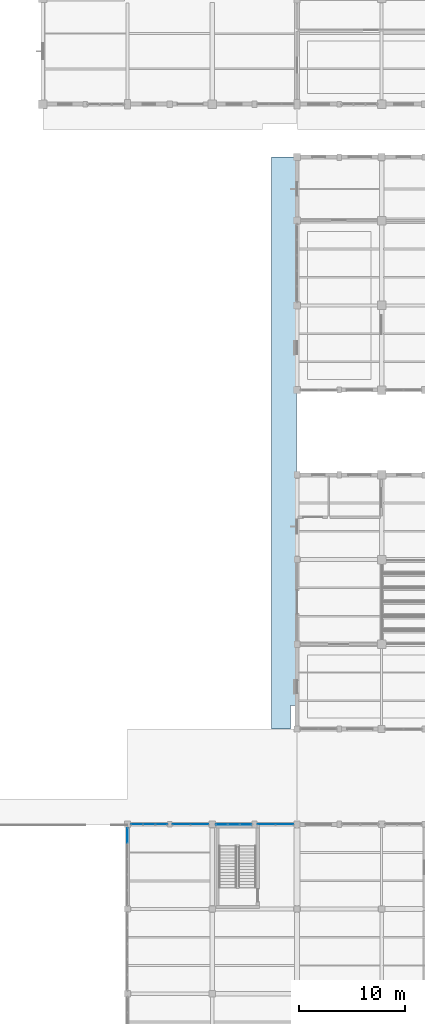
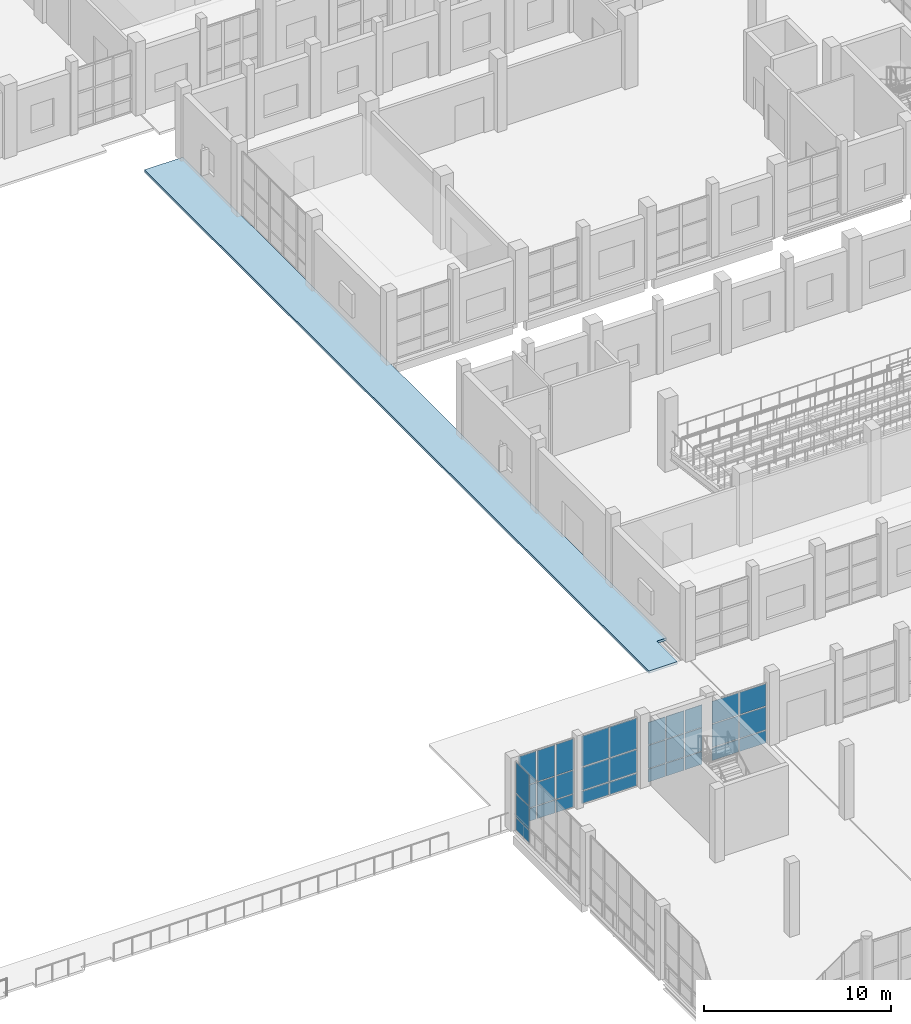
# One storey, part 111 of 156: 33 plates, 1 slab, 5 elements without a shape of their own.
"""IFC4 building model written with IfcOpenShell, lengths in metres."""

from ifc_helpers import new_model, si_unit, direction, frame, origin, origin_2d, place, context, subcontext, project, spatial, polyline, rectangle, outline, extrude, material, layer, layer_set, type_object, element, aggregate, save


model = new_model("IFC4")

# Units and contexts
model_context = context("Model", 3, precision=1e-05, world=origin(), true_north=direction((0.0, 1.0)))
body_context = subcontext(model_context, "Body", "Model", "MODEL_VIEW")
ifc_project = project(units=[si_unit("LENGTHUNIT", "METRE"), si_unit("AREAUNIT", "SQUARE_METRE"), si_unit("VOLUMEUNIT", "CUBIC_METRE"), si_unit("PLANEANGLEUNIT", "RADIAN"), si_unit("MASSUNIT", "GRAM", prefix="KILO")], contexts=[model_context])

# Site, building, storey
site_placement = place(None, origin())
site = spatial("IfcSite", under=ifc_project, at=site_placement, CompositionType="ELEMENT")
building_placement = place(site_placement, origin())
building = spatial("IfcBuilding", under=site, at=building_placement, Name="Luwemba Playhouse", CompositionType="ELEMENT")
storey_placement = place(building_placement, origin())
storey = spatial("IfcBuildingStorey", under=building, at=storey_placement, Name="L00", CompositionType="ELEMENT", Elevation=0.0)

# Curtain wall, plates
ifc_material_1 = material(Name="Solar-control double glazing", Category="glass")
curtain_wall_type_1 = type_object("IfcCurtainWallType", Name="CW-CW46", PredefinedType="USERDEFINED", material=ifc_material_1)
curtain_wall_1_placement = place(storey_placement, origin())
curtain_wall_1 = element("IfcCurtainWall", 1, at=curtain_wall_1_placement, inside=storey, type_object=curtain_wall_type_1, Name="L00 V5E unitised curtain wall 055", ObjectType="UNITISED GLAZING", PredefinedType="USERDEFINED")
ifc_layer_1 = layer(ifc_material_1, 0.02392578125)
ifc_layer_set_1 = layer_set([ifc_layer_1], Name="Solar-control double glazing")
plate_type_1 = type_object("IfcPlateType", Name="CWP-P1", PredefinedType="CURTAIN_PANEL", material=ifc_layer_set_1)
plate_1_placement = place(storey_placement, frame((116.0, 25.945068359375, 0.06005859375), z_axis=(0.0, 0.0, 1.0), x_axis=(0.0, 1.0, 0.0)))
plate_1 = element("IfcPlate", 2, at=plate_1_placement, type_object=plate_type_1, Name="CW46 panel 5.1", PredefinedType="CURTAIN_PANEL", context=body_context, shape_type="SweptSolid", body=[
    extrude(rectangle(XDim=1.389892578125, YDim=0.02392578125, at=origin_2d()), origin(), (0.0, 0.0, 1.0), 0.81005859375),
])
plate_2_placement = place(storey_placement, frame((116.0, 25.945068359375, 0.93017578125), z_axis=(0.0, 0.0, 1.0), x_axis=(0.0, 1.0, 0.0)))
plate_2 = element("IfcPlate", 3, at=plate_2_placement, type_object=plate_type_1, Name="CW46 panel 5.2", PredefinedType="CURTAIN_PANEL", context=body_context, shape_type="SweptSolid", body=[
    extrude(rectangle(XDim=1.389892578125, YDim=0.02392578125, at=origin_2d()), origin(), (0.0, 0.0, 1.0), 1.489990234375),
])
plate_3_placement = place(storey_placement, frame((116.0, 25.945068359375, 2.47998046875), z_axis=(0.0, 0.0, 1.0), x_axis=(0.0, 1.0, 0.0)))
plate_3 = element("IfcPlate", 4, at=plate_3_placement, type_object=plate_type_1, Name="CW46 panel 5.3", PredefinedType="CURTAIN_PANEL", context=body_context, shape_type="SweptSolid", body=[
    extrude(rectangle(XDim=1.389892578125, YDim=0.02392578125, at=origin_2d()), origin(), (0.0, 0.0, 1.0), 2.010009765625),
])
aggregate(curtain_wall_1, [plate_1, plate_2, plate_3])

curtain_wall_type_2 = type_object("IfcCurtainWallType", Name="CW-CW50", PredefinedType="USERDEFINED", material=ifc_material_1)
curtain_wall_2_placement = place(storey_placement, origin())
curtain_wall_2 = element("IfcCurtainWall", 5, at=curtain_wall_2_placement, inside=storey, type_object=curtain_wall_type_2, Name="L00 V5E unitised curtain wall 059", ObjectType="UNITISED GLAZING", PredefinedType="USERDEFINED")
plate_4_placement = place(storey_placement, frame((129.12744140625, 27.0, 0.06005859375), z_axis=(0.0, 0.0, 1.0), x_axis=(1.0, 0.0, 0.0)))
plate_4 = element("IfcPlate", 6, at=plate_4_placement, type_object=plate_type_1, Name="CW50 panel 1.1", PredefinedType="CURTAIN_PANEL", context=body_context, shape_type="SweptSolid", body=[
    extrude(rectangle(XDim=1.635009765625, YDim=0.02392578125, at=origin_2d()), origin(), (0.0, 0.0, 1.0), 0.81005859375),
])
plate_5_placement = place(storey_placement, frame((129.12744140625, 27.0, 0.93017578125), z_axis=(0.0, 0.0, 1.0), x_axis=(1.0, 0.0, 0.0)))
plate_5 = element("IfcPlate", 7, at=plate_5_placement, type_object=plate_type_1, Name="CW50 panel 1.2", PredefinedType="CURTAIN_PANEL", context=body_context, shape_type="SweptSolid", body=[
    extrude(rectangle(XDim=1.635009765625, YDim=0.02392578125, at=origin_2d()), origin(), (0.0, 0.0, 1.0), 1.489990234375),
])
plate_6_placement = place(storey_placement, frame((129.12744140625, 27.0, 2.47998046875), z_axis=(0.0, 0.0, 1.0), x_axis=(1.0, 0.0, 0.0)))
plate_6 = element("IfcPlate", 8, at=plate_6_placement, type_object=plate_type_1, Name="CW50 panel 1.3", PredefinedType="CURTAIN_PANEL", context=body_context, shape_type="SweptSolid", body=[
    extrude(rectangle(XDim=1.635009765625, YDim=0.02392578125, at=origin_2d()), origin(), (0.0, 0.0, 1.0), 1.445068359375),
])
plate_7_placement = place(storey_placement, frame((130.822509765625, 27.0, 0.06005859375), z_axis=(0.0, 0.0, 1.0), x_axis=(1.0, 0.0, 0.0)))
plate_7 = element("IfcPlate", 9, at=plate_7_placement, type_object=plate_type_1, Name="CW50 panel 2.1", PredefinedType="CURTAIN_PANEL", context=body_context, shape_type="SweptSolid", body=[
    extrude(rectangle(XDim=1.635009765625, YDim=0.02392578125, at=origin_2d()), origin(), (0.0, 0.0, 1.0), 0.81005859375),
])
plate_8_placement = place(storey_placement, frame((130.822509765625, 27.0, 0.93017578125), z_axis=(0.0, 0.0, 1.0), x_axis=(1.0, 0.0, 0.0)))
plate_8 = element("IfcPlate", 10, at=plate_8_placement, type_object=plate_type_1, Name="CW50 panel 2.2", PredefinedType="CURTAIN_PANEL", context=body_context, shape_type="SweptSolid", body=[
    extrude(rectangle(XDim=1.635009765625, YDim=0.02392578125, at=origin_2d()), origin(), (0.0, 0.0, 1.0), 1.489990234375),
])
plate_9_placement = place(storey_placement, frame((130.822509765625, 27.0, 2.47998046875), z_axis=(0.0, 0.0, 1.0), x_axis=(1.0, 0.0, 0.0)))
plate_9 = element("IfcPlate", 11, at=plate_9_placement, type_object=plate_type_1, Name="CW50 panel 2.3", PredefinedType="CURTAIN_PANEL", context=body_context, shape_type="SweptSolid", body=[
    extrude(rectangle(XDim=1.635009765625, YDim=0.02392578125, at=origin_2d()), origin(), (0.0, 0.0, 1.0), 1.445068359375),
])
aggregate(curtain_wall_2, [plate_4, plate_5, plate_6, plate_7, plate_8, plate_9])

curtain_wall_type_3 = type_object("IfcCurtainWallType", Name="CW-CW47", PredefinedType="USERDEFINED", material=ifc_material_1)
curtain_wall_3_placement = place(storey_placement, origin())
curtain_wall_3 = element("IfcCurtainWall", 12, at=curtain_wall_3_placement, inside=storey, type_object=curtain_wall_type_3, Name="L00 V5E unitised curtain wall 056", ObjectType="UNITISED GLAZING", PredefinedType="USERDEFINED")
ifc_layer_2 = layer(ifc_material_1, 0.028076171875)
ifc_layer_set_2 = layer_set([ifc_layer_2], Name="Solar-control double glazing")
plate_type_2 = type_object("IfcPlateType", Name="CWP-P2", PredefinedType="CURTAIN_PANEL", material=ifc_layer_set_2)
plate_10_placement = place(storey_placement, frame((116.899658203125, 27.0, 0.05517578125), z_axis=(0.0, 0.0, 1.0), x_axis=(1.0, 0.0, 0.0)))
plate_10 = element("IfcPlate", 13, at=plate_10_placement, type_object=plate_type_2, Name="CW47 panel 1.1", PredefinedType="CURTAIN_PANEL", context=body_context, shape_type="SweptSolid", body=[
    extrude(rectangle(XDim=1.069091796875, YDim=0.028076171875, at=origin_2d()), origin(), (0.0, 0.0, 1.0), 0.8173828125),
])
plate_11_placement = place(storey_placement, frame((116.899658203125, 27.0, 0.927490234375), z_axis=(0.0, 0.0, 1.0), x_axis=(1.0, 0.0, 0.0)))
plate_11 = element("IfcPlate", 14, at=plate_11_placement, type_object=plate_type_2, Name="CW47 panel 1.2", PredefinedType="CURTAIN_PANEL", context=body_context, shape_type="SweptSolid", body=[
    extrude(rectangle(XDim=1.069091796875, YDim=0.028076171875, at=origin_2d()), origin(), (0.0, 0.0, 1.0), 1.4951171875),
])
plate_12_placement = place(storey_placement, frame((116.899658203125, 27.0, 2.4775390625), z_axis=(0.0, 0.0, 1.0), x_axis=(1.0, 0.0, 0.0)))
plate_12 = element("IfcPlate", 15, at=plate_12_placement, type_object=plate_type_2, Name="CW47 panel 1.3", PredefinedType="CURTAIN_PANEL", context=body_context, shape_type="SweptSolid", body=[
    extrude(rectangle(XDim=1.069091796875, YDim=0.028076171875, at=origin_2d()), origin(), (0.0, 0.0, 1.0), 2.017578125),
])
plate_13_placement = place(storey_placement, frame((118.050048828125, 27.0, 0.05517578125), z_axis=(0.0, 0.0, 1.0), x_axis=(1.0, 0.0, 0.0)))
plate_13 = element("IfcPlate", 16, at=plate_13_placement, type_object=plate_type_2, Name="CW47 panel 2.1", PredefinedType="CURTAIN_PANEL", context=body_context, shape_type="SweptSolid", body=[
    extrude(rectangle(XDim=1.1015625, YDim=0.028076171875, at=origin_2d()), origin(), (0.0, 0.0, 1.0), 0.8173828125),
])
plate_14_placement = place(storey_placement, frame((118.050048828125, 27.0, 0.927490234375), z_axis=(0.0, 0.0, 1.0), x_axis=(1.0, 0.0, 0.0)))
plate_14 = element("IfcPlate", 17, at=plate_14_placement, type_object=plate_type_2, Name="CW47 panel 2.2", PredefinedType="CURTAIN_PANEL", context=body_context, shape_type="SweptSolid", body=[
    extrude(rectangle(XDim=1.1015625, YDim=0.028076171875, at=origin_2d()), origin(), (0.0, 0.0, 1.0), 1.4951171875),
])
plate_15_placement = place(storey_placement, frame((118.050048828125, 27.0, 2.4775390625), z_axis=(0.0, 0.0, 1.0), x_axis=(1.0, 0.0, 0.0)))
plate_15 = element("IfcPlate", 18, at=plate_15_placement, type_object=plate_type_2, Name="CW47 panel 2.3", PredefinedType="CURTAIN_PANEL", context=body_context, shape_type="SweptSolid", body=[
    extrude(rectangle(XDim=1.1015625, YDim=0.028076171875, at=origin_2d()), origin(), (0.0, 0.0, 1.0), 2.017578125),
])
plate_16_placement = place(storey_placement, frame((119.200439453125, 27.0, 0.05517578125), z_axis=(0.0, 0.0, 1.0), x_axis=(1.0, 0.0, 0.0)))
plate_16 = element("IfcPlate", 19, at=plate_16_placement, type_object=plate_type_2, Name="CW47 panel 3.1", PredefinedType="CURTAIN_PANEL", context=body_context, shape_type="SweptSolid", body=[
    extrude(rectangle(XDim=1.069091796875, YDim=0.028076171875, at=origin_2d()), origin(), (0.0, 0.0, 1.0), 0.8173828125),
])
plate_17_placement = place(storey_placement, frame((119.200439453125, 27.0, 0.927490234375), z_axis=(0.0, 0.0, 1.0), x_axis=(1.0, 0.0, 0.0)))
plate_17 = element("IfcPlate", 20, at=plate_17_placement, type_object=plate_type_2, Name="CW47 panel 3.2", PredefinedType="CURTAIN_PANEL", context=body_context, shape_type="SweptSolid", body=[
    extrude(rectangle(XDim=1.069091796875, YDim=0.028076171875, at=origin_2d()), origin(), (0.0, 0.0, 1.0), 1.4951171875),
])
plate_18_placement = place(storey_placement, frame((119.200439453125, 27.0, 2.4775390625), z_axis=(0.0, 0.0, 1.0), x_axis=(1.0, 0.0, 0.0)))
plate_18 = element("IfcPlate", 21, at=plate_18_placement, type_object=plate_type_2, Name="CW47 panel 3.3", PredefinedType="CURTAIN_PANEL", context=body_context, shape_type="SweptSolid", body=[
    extrude(rectangle(XDim=1.069091796875, YDim=0.028076171875, at=origin_2d()), origin(), (0.0, 0.0, 1.0), 2.017578125),
])
aggregate(curtain_wall_3, [plate_10, plate_11, plate_12, plate_13, plate_14, plate_15, plate_16, plate_17, plate_18])

curtain_wall_type_4 = type_object("IfcCurtainWallType", Name="CW-CW48", PredefinedType="USERDEFINED", material=ifc_material_1)
curtain_wall_4_placement = place(storey_placement, origin())
curtain_wall_4 = element("IfcCurtainWall", 22, at=curtain_wall_4_placement, inside=storey, type_object=curtain_wall_type_4, Name="L00 V5E unitised curtain wall 057", ObjectType="UNITISED GLAZING", PredefinedType="USERDEFINED")
ifc_layer_3 = layer(ifc_material_1, 0.031982421875)
ifc_layer_set_3 = layer_set([ifc_layer_3], Name="Solar-control double glazing")
plate_type_3 = type_object("IfcPlateType", Name="CWP-P3", PredefinedType="CURTAIN_PANEL", material=ifc_layer_set_3)
plate_19_placement = place(storey_placement, frame((121.0888671875, 27.0, 0.06494140625), z_axis=(0.0, 0.0, 1.0), x_axis=(1.0, 0.0, 0.0)))
plate_19 = element("IfcPlate", 23, at=plate_19_placement, type_object=plate_type_3, Name="CW48 panel 1.1", PredefinedType="CURTAIN_PANEL", context=body_context, shape_type="SweptSolid", body=[
    extrude(rectangle(XDim=1.66748046875, YDim=0.031982421875, at=origin_2d()), origin(), (0.0, 0.0, 1.0), 0.802490234375),
])
plate_20_placement = place(storey_placement, frame((121.0888671875, 27.0, 0.9326171875), z_axis=(0.0, 0.0, 1.0), x_axis=(1.0, 0.0, 0.0)))
plate_20 = element("IfcPlate", 24, at=plate_20_placement, type_object=plate_type_3, Name="CW48 panel 1.2", PredefinedType="CURTAIN_PANEL", context=body_context, shape_type="SweptSolid", body=[
    extrude(rectangle(XDim=1.66748046875, YDim=0.031982421875, at=origin_2d()), origin(), (0.0, 0.0, 1.0), 1.485107421875),
])
plate_21_placement = place(storey_placement, frame((121.0888671875, 27.0, 2.482421875), z_axis=(0.0, 0.0, 1.0), x_axis=(1.0, 0.0, 0.0)))
plate_21 = element("IfcPlate", 25, at=plate_21_placement, type_object=plate_type_3, Name="CW48 panel 1.3", PredefinedType="CURTAIN_PANEL", context=body_context, shape_type="SweptSolid", body=[
    extrude(rectangle(XDim=1.66748046875, YDim=0.031982421875, at=origin_2d()), origin(), (0.0, 0.0, 1.0), 2.00244140625),
])
plate_22_placement = place(storey_placement, frame((122.811279296875, 27.0, 0.06494140625), z_axis=(0.0, 0.0, 1.0), x_axis=(1.0, 0.0, 0.0)))
plate_22 = element("IfcPlate", 26, at=plate_22_placement, type_object=plate_type_3, Name="CW48 panel 2.1", PredefinedType="CURTAIN_PANEL", context=body_context, shape_type="SweptSolid", body=[
    extrude(rectangle(XDim=1.66748046875, YDim=0.031982421875, at=origin_2d()), origin(), (0.0, 0.0, 1.0), 0.802490234375),
])
plate_23_placement = place(storey_placement, frame((122.811279296875, 27.0, 0.9326171875), z_axis=(0.0, 0.0, 1.0), x_axis=(1.0, 0.0, 0.0)))
plate_23 = element("IfcPlate", 27, at=plate_23_placement, type_object=plate_type_3, Name="CW48 panel 2.2", PredefinedType="CURTAIN_PANEL", context=body_context, shape_type="SweptSolid", body=[
    extrude(rectangle(XDim=1.66748046875, YDim=0.031982421875, at=origin_2d()), origin(), (0.0, 0.0, 1.0), 1.485107421875),
])
plate_24_placement = place(storey_placement, frame((122.811279296875, 27.0, 2.482421875), z_axis=(0.0, 0.0, 1.0), x_axis=(1.0, 0.0, 0.0)))
plate_24 = element("IfcPlate", 28, at=plate_24_placement, type_object=plate_type_3, Name="CW48 panel 2.3", PredefinedType="CURTAIN_PANEL", context=body_context, shape_type="SweptSolid", body=[
    extrude(rectangle(XDim=1.66748046875, YDim=0.031982421875, at=origin_2d()), origin(), (0.0, 0.0, 1.0), 2.00244140625),
])
aggregate(curtain_wall_4, [plate_19, plate_20, plate_21, plate_22, plate_23, plate_24])

curtain_wall_type_5 = type_object("IfcCurtainWallType", Name="CW-CW49", PredefinedType="USERDEFINED", material=ifc_material_1)
curtain_wall_5_placement = place(storey_placement, origin())
curtain_wall_5 = element("IfcCurtainWall", 29, at=curtain_wall_5_placement, inside=storey, type_object=curtain_wall_type_5, Name="L00 V5E unitised curtain wall 058", ObjectType="UNITISED GLAZING", PredefinedType="USERDEFINED")
ifc_layer_4 = layer(ifc_material_1, 0.035888671875)
ifc_layer_set_4 = layer_set([ifc_layer_4], Name="Solar-control double glazing")
plate_type_4 = type_object("IfcPlateType", Name="CWP-P4", PredefinedType="CURTAIN_PANEL", material=ifc_layer_set_4)
plate_25_placement = place(storey_placement, frame((124.892578125, 27.0, 0.0498046875), z_axis=(0.0, 0.0, 1.0), x_axis=(1.0, 0.0, 0.0)))
plate_25 = element("IfcPlate", 30, at=plate_25_placement, type_object=plate_type_4, Name="CW49 panel 1.1", PredefinedType="CURTAIN_PANEL", context=body_context, shape_type="SweptSolid", body=[
    extrude(rectangle(XDim=1.044921875, YDim=0.035888671875, at=origin_2d()), origin(), (0.0, 0.0, 1.0), 0.824951171875),
])
plate_26_placement = place(storey_placement, frame((124.892578125, 27.0, 0.925048828125), z_axis=(0.0, 0.0, 1.0), x_axis=(1.0, 0.0, 0.0)))
plate_26 = element("IfcPlate", 31, at=plate_26_placement, type_object=plate_type_4, Name="CW49 panel 1.2", PredefinedType="CURTAIN_PANEL", context=body_context, shape_type="SweptSolid", body=[
    extrude(rectangle(XDim=1.044921875, YDim=0.035888671875, at=origin_2d()), origin(), (0.0, 0.0, 1.0), 1.5),
])
plate_27_placement = place(storey_placement, frame((124.892578125, 27.0, 2.47509765625), z_axis=(0.0, 0.0, 1.0), x_axis=(1.0, 0.0, 0.0)))
plate_27 = element("IfcPlate", 32, at=plate_27_placement, type_object=plate_type_4, Name="CW49 panel 1.3", PredefinedType="CURTAIN_PANEL", context=body_context, shape_type="SweptSolid", body=[
    extrude(rectangle(XDim=1.044921875, YDim=0.035888671875, at=origin_2d()), origin(), (0.0, 0.0, 1.0), 1.4599609375),
])
plate_28_placement = place(storey_placement, frame((126.02490234375, 27.0, 0.0498046875), z_axis=(0.0, 0.0, 1.0), x_axis=(1.0, 0.0, 0.0)))
plate_28 = element("IfcPlate", 33, at=plate_28_placement, type_object=plate_type_4, Name="CW49 panel 2.1", PredefinedType="CURTAIN_PANEL", context=body_context, shape_type="SweptSolid", body=[
    extrude(rectangle(XDim=1.080078125, YDim=0.035888671875, at=origin_2d()), origin(), (0.0, 0.0, 1.0), 0.824951171875),
])
plate_29_placement = place(storey_placement, frame((126.02490234375, 27.0, 0.925048828125), z_axis=(0.0, 0.0, 1.0), x_axis=(1.0, 0.0, 0.0)))
plate_29 = element("IfcPlate", 34, at=plate_29_placement, type_object=plate_type_4, Name="CW49 panel 2.2", PredefinedType="CURTAIN_PANEL", context=body_context, shape_type="SweptSolid", body=[
    extrude(rectangle(XDim=1.080078125, YDim=0.035888671875, at=origin_2d()), origin(), (0.0, 0.0, 1.0), 1.5),
])
plate_30_placement = place(storey_placement, frame((126.02490234375, 27.0, 2.47509765625), z_axis=(0.0, 0.0, 1.0), x_axis=(1.0, 0.0, 0.0)))
plate_30 = element("IfcPlate", 35, at=plate_30_placement, type_object=plate_type_4, Name="CW49 panel 2.3", PredefinedType="CURTAIN_PANEL", context=body_context, shape_type="SweptSolid", body=[
    extrude(rectangle(XDim=1.080078125, YDim=0.035888671875, at=origin_2d()), origin(), (0.0, 0.0, 1.0), 1.4599609375),
])
plate_31_placement = place(storey_placement, frame((127.157470703125, 27.0, 0.0498046875), z_axis=(0.0, 0.0, 1.0), x_axis=(1.0, 0.0, 0.0)))
plate_31 = element("IfcPlate", 36, at=plate_31_placement, type_object=plate_type_4, Name="CW49 panel 3.1", PredefinedType="CURTAIN_PANEL", context=body_context, shape_type="SweptSolid", body=[
    extrude(rectangle(XDim=1.044921875, YDim=0.035888671875, at=origin_2d()), origin(), (0.0, 0.0, 1.0), 0.824951171875),
])
plate_32_placement = place(storey_placement, frame((127.157470703125, 27.0, 0.925048828125), z_axis=(0.0, 0.0, 1.0), x_axis=(1.0, 0.0, 0.0)))
plate_32 = element("IfcPlate", 37, at=plate_32_placement, type_object=plate_type_4, Name="CW49 panel 3.2", PredefinedType="CURTAIN_PANEL", context=body_context, shape_type="SweptSolid", body=[
    extrude(rectangle(XDim=1.044921875, YDim=0.035888671875, at=origin_2d()), origin(), (0.0, 0.0, 1.0), 1.5),
])
plate_33_placement = place(storey_placement, frame((127.157470703125, 27.0, 2.47509765625), z_axis=(0.0, 0.0, 1.0), x_axis=(1.0, 0.0, 0.0)))
plate_33 = element("IfcPlate", 38, at=plate_33_placement, type_object=plate_type_4, Name="CW49 panel 3.3", PredefinedType="CURTAIN_PANEL", context=body_context, shape_type="SweptSolid", body=[
    extrude(rectangle(XDim=1.044921875, YDim=0.035888671875, at=origin_2d()), origin(), (0.0, 0.0, 1.0), 1.4599609375),
])
aggregate(curtain_wall_5, [plate_25, plate_26, plate_27, plate_28, plate_29, plate_30, plate_31, plate_32, plate_33])

# Slab
ifc_material_2 = material(Name="Concrete C32/40", Category="concrete")
ifc_layer_5 = layer(ifc_material_2, 0.159912109375)
ifc_layer_set_5 = layer_set([ifc_layer_5], Name="Concrete C32/40")
slab_type = type_object("IfcSlabType", Name="SLB-PAV-160", PredefinedType="USERDEFINED", material=ifc_layer_set_5)
slab_placement = place(storey_placement, frame((0.0, 0.0, -0.159912109375)))
element("IfcSlab", 39, at=slab_placement, inside=storey, type_object=slab_type, Name="L00 external civic plaza paving PAV-CLOISTER-E", ObjectType="PAVING", PredefinedType="USERDEFINED", context=body_context, shape_type="SweptSolid", body=[
    extrude(outline(polyline([(129.60009765625, 36.0), (131.3701171875, 36.0), (131.3701171875, 38.199951171875), (131.969970703125, 38.199951171875), (131.969970703125, 90.0), (129.60009765625, 90.0), (129.60009765625, 36.0)])), origin(), (0.0, 0.0, 1.0), 0.159912109375),
])

save(model, "model.ifc")
